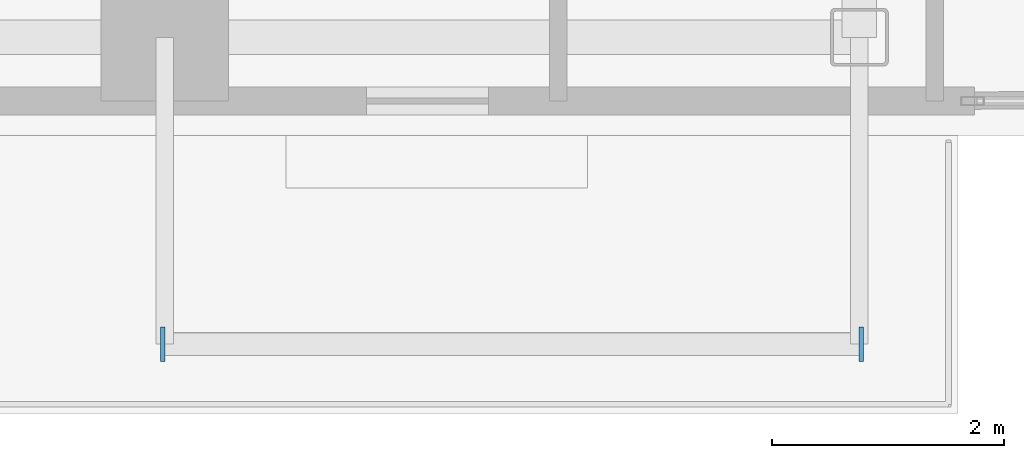
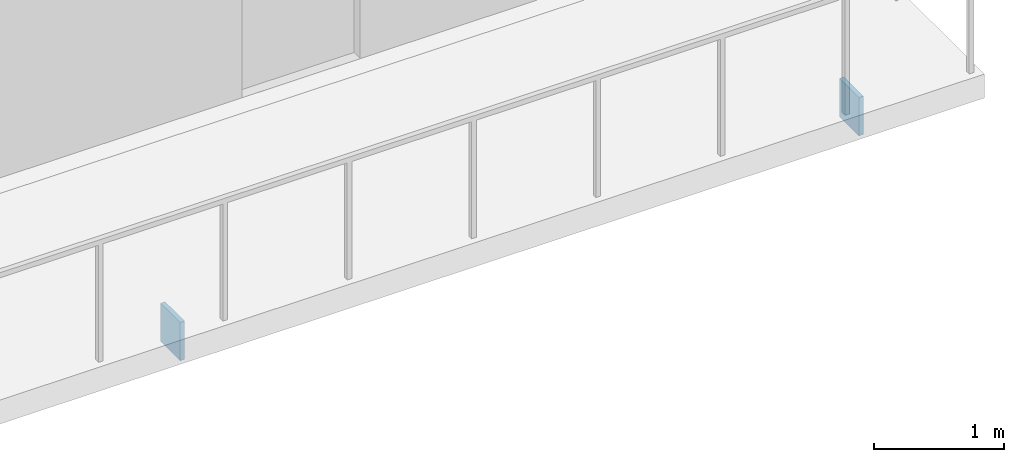
# One storey, part 20 of 28: 2 plates.
"""IFC4 building model written with IfcOpenShell, lengths in metres."""

from ifc_helpers import new_model, si_unit, direction, frame, origin, origin_2d, place, context, subcontext, project, spatial, rectangle, extrude, material, layer, layer_set, type_object, element, save


model = new_model("IFC4")

# Units and contexts
model_context = context("Model", 3, precision=1e-05, world=origin(), true_north=direction((0.0, 1.0)))
body_context = subcontext(model_context, "Body", "Model", "MODEL_VIEW")
ifc_project = project(units=[si_unit("LENGTHUNIT", "METRE"), si_unit("AREAUNIT", "SQUARE_METRE"), si_unit("VOLUMEUNIT", "CUBIC_METRE"), si_unit("PLANEANGLEUNIT", "RADIAN"), si_unit("MASSUNIT", "GRAM", prefix="KILO"), si_unit("THERMODYNAMICTEMPERATUREUNIT", "KELVIN"), si_unit("POWERUNIT", "WATT")], contexts=[model_context])

# Site, building, storey
site_placement = place(None, origin())
site = spatial("IfcSite", under=ifc_project, at=site_placement, CompositionType="ELEMENT")
building_placement = place(site_placement, origin())
building = spatial("IfcBuilding", under=site, at=building_placement, Name="Svarakhadi Broadcast Tower", CompositionType="ELEMENT")
storey_placement = place(building_placement, frame((0.0, 0.0, 107.10009765625)))
storey = spatial("IfcBuildingStorey", under=building, at=storey_placement, Name="L25", CompositionType="ELEMENT", Elevation=107.10009765625)

# Plates
ifc_material = material(Name="Steel S460ML (IS 2062 E450BR)", Category="steel")
ifc_layer = layer(ifc_material, 0.028076171875)
ifc_layer_set = layer_set([ifc_layer], Name="Steel S460ML (IS 2062 E450BR)")
plate_type = type_object("IfcPlateType", Name="Cap_Plate_CP02", PredefinedType="USERDEFINED", material=ifc_layer_set)
for number, where, z_axis, x_axis, name in (
    (1, (35.135009765625, -1.800048828125, -0.55517578125), (0.0, 0.0, 1.0), (1.0, 0.0, 0.0), "L25 Balcony Spandrel End Cap Plate 1F-A"),
    (2, (41.1650390625, -1.800048828125, -0.55517578125), (0.0, 0.0, 1.0), (1.0, 0.0, 0.0), "L25 Balcony Spandrel End Cap Plate 1F-B"),
):
    element("IfcPlate", number, at=place(storey_placement, frame(where, z_axis=z_axis, x_axis=x_axis)), inside=storey, type_object=plate_type, Name=name, ObjectType="FLANGE_PLATE", PredefinedType="USERDEFINED", context=body_context, shape_type="SweptSolid", body=[
        extrude(rectangle(XDim=0.0400390625, YDim=0.300048828125, at=origin_2d()), origin(), (0.0, 0.0, 1.0), 0.360107421875),
    ])

save(model, "model.ifc")
